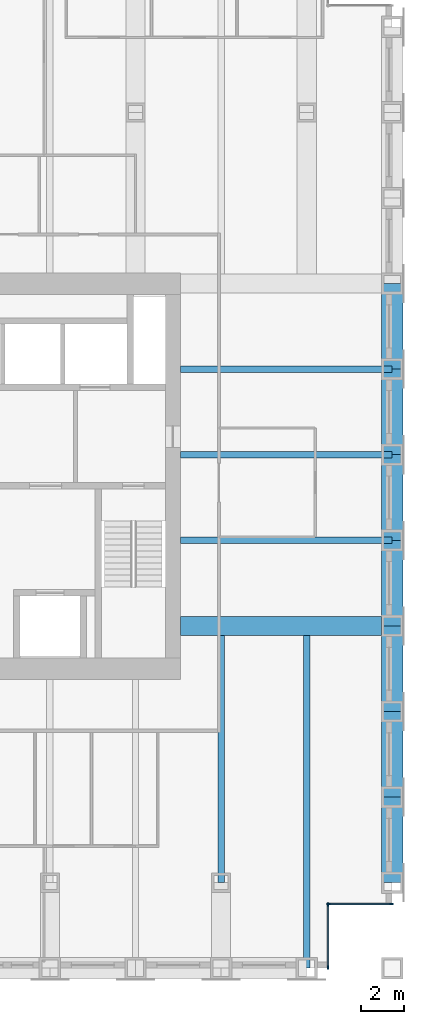
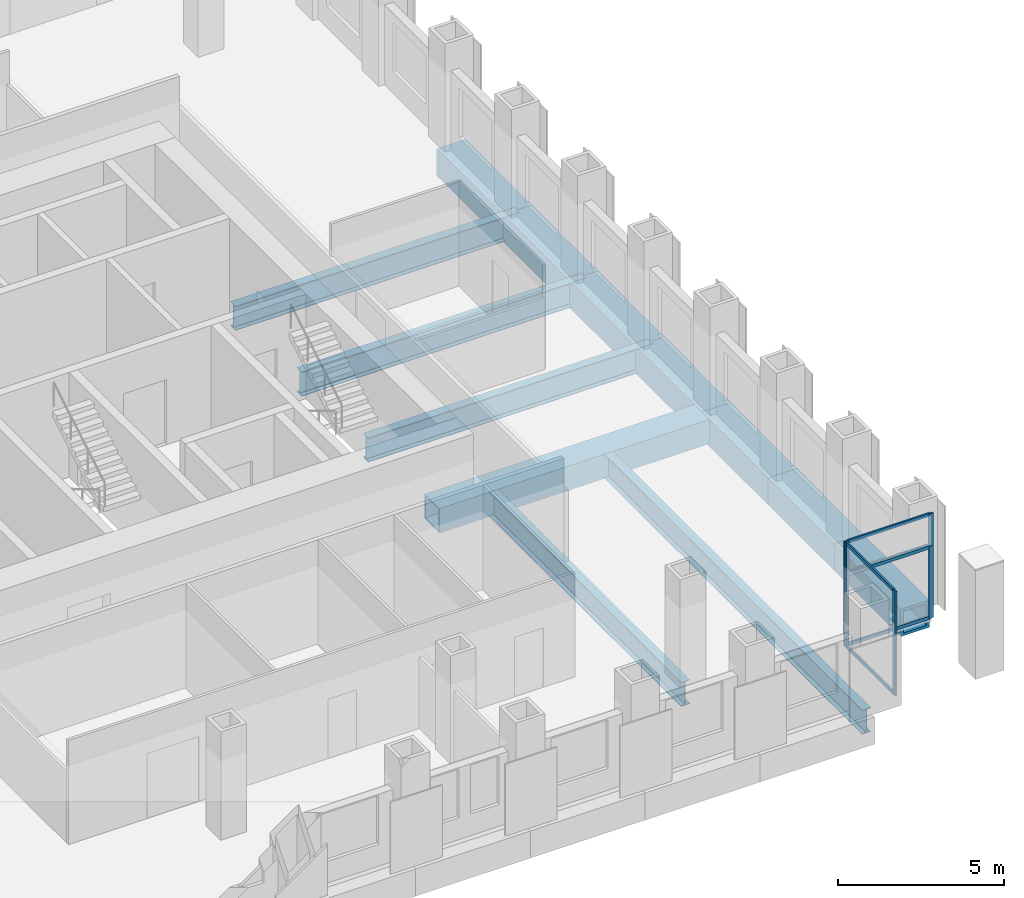
# One storey, part 4 of 12: 13 beams, 12 members, 3 elements without a shape of their own.
"""IFC4 building model written with IfcOpenShell, lengths in metres."""

from ifc_helpers import new_model, si_unit, direction, frame, origin, origin_2d, place, context, subcontext, project, spatial, rectangle, hollow_rectangle, i_section, extrude, material, material_profile, profile_set, type_object, element, aggregate, save


model = new_model("IFC4")

# Units and contexts
model_context = context("Model", 3, precision=1e-05, world=origin(), true_north=direction((0.0, 1.0)))
body_context = subcontext(model_context, "Body", "Model", "MODEL_VIEW")
ifc_project = project(units=[si_unit("LENGTHUNIT", "METRE"), si_unit("AREAUNIT", "SQUARE_METRE"), si_unit("VOLUMEUNIT", "CUBIC_METRE"), si_unit("PLANEANGLEUNIT", "RADIAN"), si_unit("MASSUNIT", "GRAM", prefix="KILO")], contexts=[model_context])

# Site, building, storey
site_placement = place(None, origin())
site = spatial("IfcSite", under=ifc_project, at=site_placement, CompositionType="ELEMENT")
building_placement = place(site_placement, origin())
building = spatial("IfcBuilding", under=site, at=building_placement, Name="Rimbunsela Tower", CompositionType="ELEMENT")
storey_placement = place(building_placement, frame((0.0, 0.0, 167.800048828125)))
storey = spatial("IfcBuildingStorey", under=building, at=storey_placement, Name="L40", CompositionType="ELEMENT", Elevation=167.800048828125)

# Beams
ifc_material_1 = material(Name="Steel BJ 55 (fy 410 MPa)", Category="steel")
ifc_material_profile_1 = material_profile(ifc_material_1, hollow_rectangle(XDim=1.0, YDim=1.0, WallThickness=0.10009765625, at=origin_2d()), Name="BOX 1000x1000x100")
ifc_profile_set_1 = profile_set([ifc_material_profile_1], Name="Steel BJ 55 (fy 410 MPa)")
beam_type_1 = type_object("IfcBeamType", Name="Beam BOX 1000x1000x100", PredefinedType="BEAM", material=ifc_profile_set_1)
for number, where, z_axis, x_axis, name in (
    (1, (46.0, 8.0, -0.650146484375), (0.0, 1.0, 0.0), (-1.0, 0.0, 0.0), "Beam B3 L40"),
    (2, (46.0, 12.0, -0.650146484375), (0.0, 1.0, 0.0), (-1.0, 0.0, 0.0), "Beam B3 L40"),
    (3, (46.0, 16.0, -0.650146484375), (0.0, 1.0, 0.0), (-1.0, 0.0, 0.0), "Beam B3 L40"),
    (4, (46.0, 20.0, -0.650146484375), (0.0, 1.0, 0.0), (-1.0, 0.0, 0.0), "Beam B3 L40"),
    (5, (46.0, 24.0, -0.650146484375), (0.0, 1.0, 0.0), (-1.0, 0.0, 0.0), "Beam B3 L40"),
    (6, (46.0, 28.0, -0.650146484375), (0.0, 1.0, 0.0), (-1.0, 0.0, 0.0), "Beam B3 L40"),
    (7, (46.0, 32.0, -0.650146484375), (0.0, 1.0, 0.0), (-1.0, 0.0, 0.0), "Beam B3 L40"),
):
    element("IfcBeam", number, at=place(storey_placement, frame(where, z_axis=z_axis, x_axis=x_axis)), inside=storey, type_object=beam_type_1, Name=name, PredefinedType="BEAM", context=body_context, shape_type="SweptSolid", body=[
        extrude(hollow_rectangle(XDim=1.0, YDim=1.0, WallThickness=0.10009765625, at=origin_2d()), origin(), (0.0, 0.0, 1.0), 4.0),
    ])
ifc_material_2 = material(Name="Steel BJ 55 (fy 410 MPa)", Category="steel")
ifc_material_profile_2 = material_profile(ifc_material_2, hollow_rectangle(XDim=0.89990234375, YDim=0.89990234375, WallThickness=0.06005859375, at=origin_2d()), Name="BOX 900x900x60")
ifc_profile_set_2 = profile_set([ifc_material_profile_2], Name="Steel BJ 55 (fy 410 MPa)")
beam_type_2 = type_object("IfcBeamType", Name="Beam BOX 900x900x60", PredefinedType="BEAM", material=ifc_profile_set_2)
beam_1_placement = place(storey_placement, frame((36.10009765625, 20.0, -0.60009765625), z_axis=(1.0, 0.0, 0.0), x_axis=(0.0, 1.0, 0.0)))
element("IfcBeam", 8, at=beam_1_placement, inside=storey, type_object=beam_type_2, Name="Beam B1 L40", PredefinedType="BEAM", context=body_context, shape_type="SweptSolid", body=[
    extrude(hollow_rectangle(XDim=0.89990234375, YDim=0.89990234375, WallThickness=0.06005859375, at=origin_2d()), origin(), (0.0, 0.0, 1.0), 9.89990234375),
])
ifc_material_3 = material(Name="Steel BJ 55 (fy 410 MPa)", Category="steel")
ifc_material_profile_3 = material_profile(ifc_material_3, i_section(OverallWidth=0.300048828125, OverallDepth=0.89990234375, WebThickness=0.01611328125, FlangeThickness=0.028076171875, FilletRadius=0.028076171875, at=origin_2d()), Name="H 900x300x16x28")
ifc_profile_set_3 = profile_set([ifc_material_profile_3], Name="Steel BJ 55 (fy 410 MPa)")
beam_type_3 = type_object("IfcBeamType", Name="Beam H 900x300x16x28", PredefinedType="BEAM", material=ifc_profile_set_3)
for number, where, z_axis, x_axis, name in (
    (9, (36.10009765625, 24.0, -0.60009765625), (1.0, 0.0, 0.0), (0.0, 1.0, 0.0), "Beam B2 L40"),
    (10, (36.10009765625, 28.0, -0.60009765625), (1.0, 0.0, 0.0), (0.0, 1.0, 0.0), "Beam B2 L40"),
    (11, (36.10009765625, 32.0, -0.60009765625), (1.0, 0.0, 0.0), (0.0, 1.0, 0.0), "Beam B2 L40"),
):
    element("IfcBeam", number, at=place(storey_placement, frame(where, z_axis=z_axis, x_axis=x_axis)), inside=storey, type_object=beam_type_3, Name=name, PredefinedType="BEAM", context=body_context, shape_type="SweptSolid", body=[
        extrude(i_section(OverallWidth=0.300048828125, OverallDepth=0.89990234375, WebThickness=0.01611328125, FlangeThickness=0.028076171875, FilletRadius=0.028076171875, at=origin_2d()), origin(), (0.0, 0.0, 1.0), 9.89990234375),
    ])
beam_2_placement = place(storey_placement, frame((38.0, 8.0, -0.60009765625), z_axis=(0.0, 1.0, 0.0), x_axis=(-1.0, 0.0, 0.0)))
element("IfcBeam", 12, at=beam_2_placement, inside=storey, type_object=beam_type_3, Name="Beam B2 L40", PredefinedType="BEAM", context=body_context, shape_type="SweptSolid", body=[
    extrude(i_section(OverallWidth=0.300048828125, OverallDepth=0.89990234375, WebThickness=0.01611328125, FlangeThickness=0.028076171875, FilletRadius=0.028076171875, at=origin_2d()), origin(), (0.0, 0.0, 1.0), 11.550048828125),
])
beam_3_placement = place(storey_placement, frame((42.0, 4.0, -0.60009765625), z_axis=(0.0, 1.0, 0.0), x_axis=(-1.0, 0.0, 0.0)))
element("IfcBeam", 13, at=beam_3_placement, inside=storey, type_object=beam_type_3, Name="Beam B2 L40", PredefinedType="BEAM", context=body_context, shape_type="SweptSolid", body=[
    extrude(i_section(OverallWidth=0.300048828125, OverallDepth=0.89990234375, WebThickness=0.01611328125, FlangeThickness=0.028076171875, FilletRadius=0.028076171875, at=origin_2d()), origin(), (0.0, 0.0, 1.0), 15.550048828125),
])

# Curtain wall, members
ifc_material_4 = material(Name="Aluminium curtain wall", Category="aluminium")
curtain_wall_type_1 = type_object("IfcCurtainWallType", Name="Corner glazing", PredefinedType="USERDEFINED", material=ifc_material_4)
curtain_wall_1_placement = place(storey_placement, origin())
curtain_wall_1 = element("IfcCurtainWall", 14, at=curtain_wall_1_placement, inside=storey, type_object=curtain_wall_type_1, Name="Corner glazing L40", ObjectType="CORNER GLAZING", PredefinedType="USERDEFINED")
ifc_material_5 = material(Name="Aluminium mullion", Category="aluminium")
ifc_material_profile_4 = material_profile(ifc_material_5, rectangle(XDim=0.06005859375, YDim=0.159912109375, at=origin_2d()), Name="Mullion 60x160")
ifc_profile_set_4 = profile_set([ifc_material_profile_4], Name="Aluminium mullion")
member_type_1 = type_object("IfcMemberType", Name="Curtain wall mullion 60x160", PredefinedType="MULLION", material=ifc_profile_set_4)
member_1_placement = place(storey_placement, frame((43.0, 4.030029296875, 0.0), z_axis=(0.0, 0.0, 1.0), x_axis=(-1.0, 0.0, 0.0)))
member_1 = element("IfcMember", 15, at=member_1_placement, type_object=member_type_1, Name="CW5 mullion 1", PredefinedType="MULLION", context=body_context, shape_type="SweptSolid", body=[
    extrude(rectangle(XDim=0.06005859375, YDim=0.159912109375, at=origin_2d()), origin(), (0.0, 0.0, 1.0), 3.849853515625),
])
member_2_placement = place(storey_placement, frame((43.0, 6.969970703125, 0.0), z_axis=(0.0, 0.0, 1.0), x_axis=(-1.0, 0.0, 0.0)))
member_2 = element("IfcMember", 16, at=member_2_placement, type_object=member_type_1, Name="CW5 mullion 2", PredefinedType="MULLION", context=body_context, shape_type="SweptSolid", body=[
    extrude(rectangle(XDim=0.06005859375, YDim=0.159912109375, at=origin_2d()), origin(), (0.0, 0.0, 1.0), 3.849853515625),
])

curtain_wall_2_placement = place(storey_placement, origin())
curtain_wall_2 = element("IfcCurtainWall", 17, at=curtain_wall_2_placement, inside=storey, type_object=curtain_wall_type_1, Name="Corner glazing L40", ObjectType="CORNER GLAZING", PredefinedType="USERDEFINED")
member_3_placement = place(storey_placement, frame((43.030029296875, 7.0, 0.0), z_axis=(0.0, 0.0, 1.0), x_axis=(0.0, 1.0, 0.0)))
member_3 = element("IfcMember", 18, at=member_3_placement, type_object=member_type_1, Name="CW5 mullion 1", PredefinedType="MULLION", context=body_context, shape_type="SweptSolid", body=[
    extrude(rectangle(XDim=0.06005859375, YDim=0.159912109375, at=origin_2d()), origin(), (0.0, 0.0, 1.0), 2.64990234375),
])
member_4_placement = place(storey_placement, frame((45.969970703125, 7.0, 0.0), z_axis=(0.0, 0.0, 1.0), x_axis=(0.0, 1.0, 0.0)))
member_4 = element("IfcMember", 19, at=member_4_placement, type_object=member_type_1, Name="CW5 mullion 2", PredefinedType="MULLION", context=body_context, shape_type="SweptSolid", body=[
    extrude(rectangle(XDim=0.06005859375, YDim=0.159912109375, at=origin_2d()), origin(), (0.0, 0.0, 1.0), 2.64990234375),
])

ifc_material_6 = material(Name="Aluminium curtain wall", Category="aluminium")
curtain_wall_type_2 = type_object("IfcCurtainWallType", Name="Spandrel wall", PredefinedType="USERDEFINED", material=ifc_material_6)
curtain_wall_3_placement = place(storey_placement, origin())
curtain_wall_3 = element("IfcCurtainWall", 20, at=curtain_wall_3_placement, inside=storey, type_object=curtain_wall_type_2, Name="Spandrel wall L40", ObjectType="SPANDREL WALL", PredefinedType="USERDEFINED")
member_5_placement = place(storey_placement, frame((43.030029296875, 7.0, 2.64990234375), z_axis=(0.0, 0.0, 1.0), x_axis=(0.0, 1.0, 0.0)))
member_5 = element("IfcMember", 21, at=member_5_placement, type_object=member_type_1, Name="CW7 mullion 1", PredefinedType="MULLION", context=body_context, shape_type="SweptSolid", body=[
    extrude(rectangle(XDim=0.06005859375, YDim=0.159912109375, at=origin_2d()), origin(), (0.0, 0.0, 1.0), 1.199951171875),
])
member_6_placement = place(storey_placement, frame((45.969970703125, 7.0, 2.64990234375), z_axis=(0.0, 0.0, 1.0), x_axis=(0.0, 1.0, 0.0)))
member_6 = element("IfcMember", 22, at=member_6_placement, type_object=member_type_1, Name="CW7 mullion 2", PredefinedType="MULLION", context=body_context, shape_type="SweptSolid", body=[
    extrude(rectangle(XDim=0.06005859375, YDim=0.159912109375, at=origin_2d()), origin(), (0.0, 0.0, 1.0), 1.199951171875),
])

# Member
ifc_material_7 = material(Name="Aluminium transom", Category="aluminium")
ifc_material_profile_5 = material_profile(ifc_material_7, rectangle(XDim=0.06005859375, YDim=0.1201171875, at=origin_2d()), Name="Transom 60x120")
ifc_profile_set_5 = profile_set([ifc_material_profile_5], Name="Aluminium transom")
member_type_2 = type_object("IfcMemberType", Name="Curtain wall transom 60x120", PredefinedType="USERDEFINED", material=ifc_profile_set_5)
member_7_placement = place(storey_placement, frame((43.0, 4.06005859375, 0.030029296875), z_axis=(0.0, 1.0, 0.0), x_axis=(-1.0, 0.0, 0.0)))
member_7 = element("IfcMember", 23, at=member_7_placement, type_object=member_type_2, Name="CW5 transom 1.1", ObjectType="TRANSOM", PredefinedType="USERDEFINED", context=body_context, shape_type="SweptSolid", body=[
    extrude(rectangle(XDim=0.06005859375, YDim=0.1201171875, at=origin_2d()), origin(), (0.0, 0.0, 1.0), 2.8798828125),
])

member_8_placement = place(storey_placement, frame((43.0, 4.06005859375, 3.820068359375), z_axis=(0.0, 1.0, 0.0), x_axis=(-1.0, 0.0, 0.0)))
member_8 = element("IfcMember", 24, at=member_8_placement, type_object=member_type_2, Name="CW5 transom 1.2", ObjectType="TRANSOM", PredefinedType="USERDEFINED", context=body_context, shape_type="SweptSolid", body=[
    extrude(rectangle(XDim=0.06005859375, YDim=0.1201171875, at=origin_2d()), origin(), (0.0, 0.0, 1.0), 2.8798828125),
])

aggregate(curtain_wall_1, [member_1, member_2, member_7, member_8])

member_9_placement = place(storey_placement, frame((43.06005859375, 7.0, 0.030029296875), z_axis=(1.0, 0.0, 0.0), x_axis=(0.0, 1.0, 0.0)))
member_9 = element("IfcMember", 25, at=member_9_placement, type_object=member_type_2, Name="CW5 transom 1.1", ObjectType="TRANSOM", PredefinedType="USERDEFINED", context=body_context, shape_type="SweptSolid", body=[
    extrude(rectangle(XDim=0.06005859375, YDim=0.1201171875, at=origin_2d()), origin(), (0.0, 0.0, 1.0), 2.8798828125),
])

member_10_placement = place(storey_placement, frame((43.06005859375, 7.0, 2.619873046875), z_axis=(1.0, 0.0, 0.0), x_axis=(0.0, 1.0, 0.0)))
member_10 = element("IfcMember", 26, at=member_10_placement, type_object=member_type_2, Name="CW5 transom 1.2", ObjectType="TRANSOM", PredefinedType="USERDEFINED", context=body_context, shape_type="SweptSolid", body=[
    extrude(rectangle(XDim=0.06005859375, YDim=0.1201171875, at=origin_2d()), origin(), (0.0, 0.0, 1.0), 2.8798828125),
])

aggregate(curtain_wall_2, [member_3, member_4, member_9, member_10])

member_11_placement = place(storey_placement, frame((43.06005859375, 7.0, 2.679931640625), z_axis=(1.0, 0.0, 0.0), x_axis=(0.0, 1.0, 0.0)))
member_11 = element("IfcMember", 27, at=member_11_placement, type_object=member_type_2, Name="CW7 transom 1.1", ObjectType="TRANSOM", PredefinedType="USERDEFINED", context=body_context, shape_type="SweptSolid", body=[
    extrude(rectangle(XDim=0.06005859375, YDim=0.1201171875, at=origin_2d()), origin(), (0.0, 0.0, 1.0), 2.8798828125),
])

member_12_placement = place(storey_placement, frame((43.06005859375, 7.0, 3.820068359375), z_axis=(1.0, 0.0, 0.0), x_axis=(0.0, 1.0, 0.0)))
member_12 = element("IfcMember", 28, at=member_12_placement, type_object=member_type_2, Name="CW7 transom 1.2", ObjectType="TRANSOM", PredefinedType="USERDEFINED", context=body_context, shape_type="SweptSolid", body=[
    extrude(rectangle(XDim=0.06005859375, YDim=0.1201171875, at=origin_2d()), origin(), (0.0, 0.0, 1.0), 2.8798828125),
])

aggregate(curtain_wall_3, [member_5, member_6, member_11, member_12])

save(model, "model.ifc")
